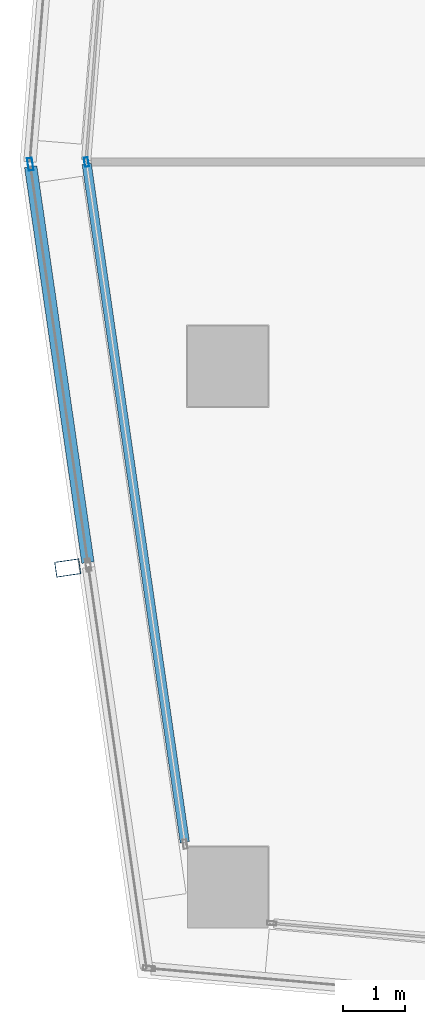
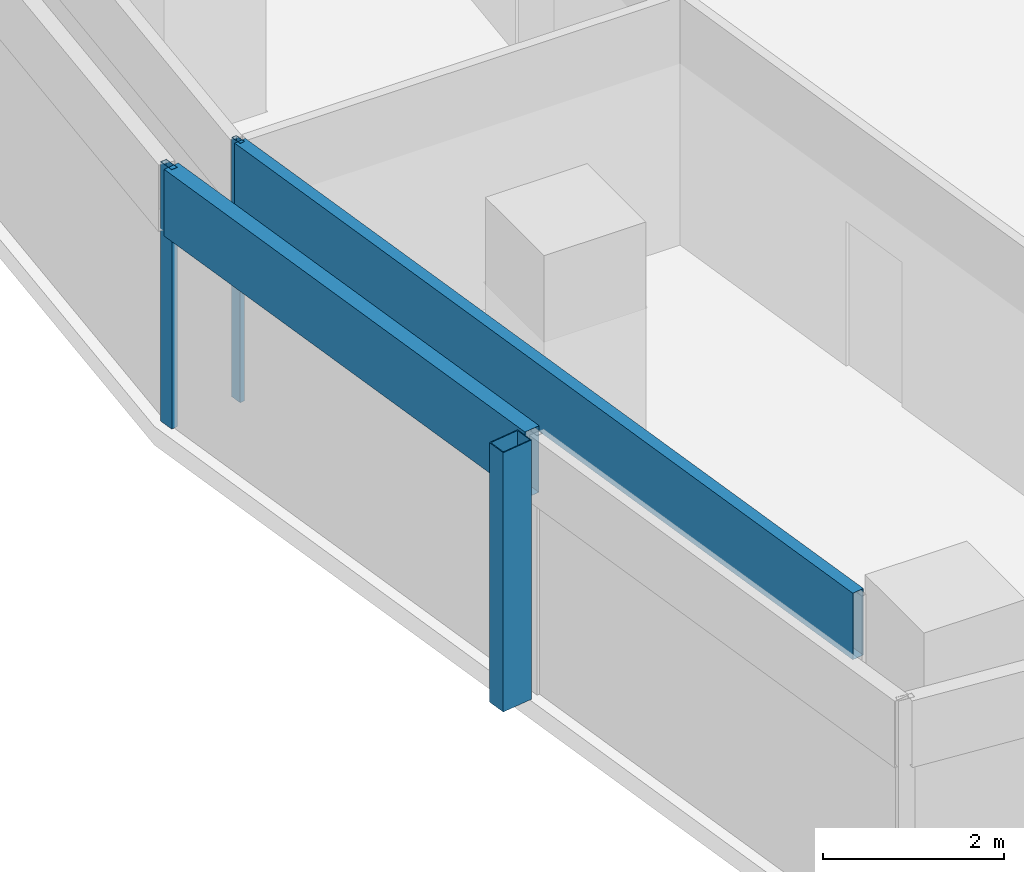
# One storey, part 4 of 29: 5 members, 2 elements without a shape of their own.
"""IFC4 building model written with IfcOpenShell, lengths in metres."""

from ifc_helpers import new_model, si_unit, direction, frame, origin, origin_2d, place, context, subcontext, project, spatial, hollow_rectangle, extrude, material, material_profile, profile_set, type_object, element, aggregate, save


model = new_model("IFC4")

# Units and contexts
model_context = context("Model", 3, precision=1e-05, world=origin(), true_north=direction((0.0, 1.0)))
body_context = subcontext(model_context, "Body", "Model", "MODEL_VIEW")
ifc_project = project(units=[si_unit("LENGTHUNIT", "METRE"), si_unit("AREAUNIT", "SQUARE_METRE"), si_unit("VOLUMEUNIT", "CUBIC_METRE"), si_unit("PLANEANGLEUNIT", "RADIAN"), si_unit("MASSUNIT", "GRAM", prefix="KILO")], contexts=[model_context])

# Site, building, storey
site_placement = place(None, origin())
site = spatial("IfcSite", under=ifc_project, at=site_placement, CompositionType="ELEMENT")
building_placement = place(site_placement, origin())
building = spatial("IfcBuilding", under=site, at=building_placement, Name="Rekha Terrace Tower", CompositionType="ELEMENT")
storey_placement = place(building_placement, frame((0.0, 0.0, 280.10009765625)))
storey = spatial("IfcBuildingStorey", under=building, at=storey_placement, Name="L71", CompositionType="ELEMENT", Elevation=280.10009765625)

# Curtain wall, member
ifc_material_1 = material(Name="Aluminium framing", Category="aluminium")
curtain_wall_type_1 = type_object("IfcCurtainWallType", Name="CW2 double skin outer glazing", PredefinedType="USERDEFINED", material=ifc_material_1)
curtain_wall_1_placement = place(storey_placement, origin())
curtain_wall_1 = element("IfcCurtainWall", 1, at=curtain_wall_1_placement, inside=storey, type_object=curtain_wall_type_1, Name="CW2 double skin outer glazing", ObjectType="DOUBLE SKIN OUTER GLAZING", PredefinedType="USERDEFINED")
ifc_material_2 = material(Name="Steel S355 with fluorocarbon finish", Category="steel")
ifc_material_profile_1 = material_profile(ifc_material_2, hollow_rectangle(XDim=0.25, YDim=0.39990234375, WallThickness=0.012451171875, at=origin_2d()), Name="RHS400x250x12.5")
ifc_profile_set_1 = profile_set([ifc_material_profile_1], Name="Steel S355 with fluorocarbon finish")
member_type_1 = type_object("IfcMemberType", Name="BL1 facade blade RHS 400 x 250", PredefinedType="USERDEFINED", material=ifc_profile_set_1)
member_1_placement = place(storey_placement, frame((5.819091796875, 21.94873046875, 0.0), z_axis=(0.0, 0.0, 1.0), x_axis=(0.143109157841, -0.989706910627, 0.0)))
member_1 = element("IfcMember", 2, at=member_1_placement, type_object=member_type_1, Name="Facade blade", ObjectType="FACADE BLADE", PredefinedType="USERDEFINED", context=body_context, shape_type="SweptSolid", body=[
    extrude(hollow_rectangle(XDim=0.25, YDim=0.39990234375, WallThickness=0.012451171875, at=origin_2d()), origin(), (0.0, 0.0, 1.0), 3.5),
])

# Curtain wall, members
curtain_wall_type_2 = type_object("IfcCurtainWallType", Name="CW1 double skin inner glazing", PredefinedType="USERDEFINED", material=ifc_material_1)
curtain_wall_2_placement = place(storey_placement, origin())
curtain_wall_2 = element("IfcCurtainWall", 3, at=curtain_wall_2_placement, inside=storey, type_object=curtain_wall_type_2, Name="CW1 double skin inner glazing", ObjectType="DOUBLE SKIN INNER GLAZING", PredefinedType="USERDEFINED")
ifc_material_3 = material(Name="Aluminium mullion section", Category="aluminium")
ifc_material_profile_2 = material_profile(ifc_material_3, hollow_rectangle(XDim=0.06494140625, YDim=0.14990234375, WallThickness=0.00390625, at=origin_2d()), Name="AL RHS 65x150")
ifc_profile_set_2 = profile_set([ifc_material_profile_2], Name="Aluminium mullion section")
member_type_2 = type_object("IfcMemberType", Name="CW1 mullion RHS 65 x 150", PredefinedType="MULLION", material=ifc_profile_set_2)
member_2_placement = place(storey_placement, frame((6.120849609375, 28.4912109375, 0.0), z_axis=(0.0, 0.0, 1.0), x_axis=(0.989707031394, 0.143108322643, 0.0)))
member_2 = element("IfcMember", 4, at=member_2_placement, type_object=member_type_2, Name="CW1 mullion 1", PredefinedType="MULLION", context=body_context, shape_type="SweptSolid", body=[
    extrude(hollow_rectangle(XDim=0.06494140625, YDim=0.14990234375, WallThickness=0.00390625, at=origin_2d()), origin(), (0.0, 0.0, 1.0), 3.5),
])
ifc_material_4 = material(Name="Insulated aluminium spandrel box", Category="aluminium")
ifc_material_profile_3 = material_profile(ifc_material_4, hollow_rectangle(XDim=0.14990234375, YDim=0.89990234375, WallThickness=0.0029296875, at=origin_2d()), Name="AL SPANDREL BOX 150x900")
ifc_profile_set_3 = profile_set([ifc_material_profile_3], Name="Insulated aluminium spandrel box")
member_type_3 = type_object("IfcMemberType", Name="CW1 spandrel transom 150 x 900", PredefinedType="USERDEFINED", material=ifc_profile_set_3)
member_3_placement = place(storey_placement, frame((6.12548828125, 28.458984375, 3.0498046875), z_axis=(0.143104894735, -0.989707527052, 0.0), x_axis=(0.989707527052, 0.143104894735, 0.0)))
member_3 = element("IfcMember", 5, at=member_3_placement, type_object=member_type_3, Name="CW1 spandrel transom 1", ObjectType="TRANSOM", PredefinedType="USERDEFINED", context=body_context, shape_type="SweptSolid", body=[
    extrude(hollow_rectangle(XDim=0.14990234375, YDim=0.89990234375, WallThickness=0.0029296875, at=origin_2d()), origin(), (0.0, 0.0, 1.0), 11.043212890625),
])
aggregate(curtain_wall_2, [member_2, member_3])

# Member
ifc_material_profile_4 = material_profile(ifc_material_3, hollow_rectangle(XDim=0.080078125, YDim=0.199951171875, WallThickness=0.00390625, at=origin_2d()), Name="AL RHS 80x200")
ifc_profile_set_4 = profile_set([ifc_material_profile_4], Name="Aluminium mullion section")
member_type_4 = type_object("IfcMemberType", Name="CW2 mullion RHS 80 x 200", PredefinedType="MULLION", material=ifc_profile_set_4)
member_4_placement = place(storey_placement, frame((5.216552734375, 28.455322265625, 0.0), z_axis=(0.0, 0.0, 1.0), x_axis=(0.989707031389, 0.143108322678, 0.0)))
member_4 = element("IfcMember", 6, at=member_4_placement, type_object=member_type_4, Name="CW2 mullion 1", PredefinedType="MULLION", context=body_context, shape_type="SweptSolid", body=[
    extrude(hollow_rectangle(XDim=0.080078125, YDim=0.199951171875, WallThickness=0.00390625, at=origin_2d()), origin(), (0.0, 0.0, 1.0), 3.5),
])

ifc_material_profile_5 = material_profile(ifc_material_4, hollow_rectangle(XDim=0.199951171875, YDim=0.89990234375, WallThickness=0.0029296875, at=origin_2d()), Name="AL SPANDREL BOX 200x900")
ifc_profile_set_5 = profile_set([ifc_material_profile_5], Name="Insulated aluminium spandrel box")
member_type_5 = type_object("IfcMemberType", Name="CW2 spandrel transom 200 x 900", PredefinedType="USERDEFINED", material=ifc_profile_set_5)
member_5_placement = place(storey_placement, frame((5.222412109375, 28.415771484375, 3.0498046875), z_axis=(0.143091438807, -0.989709472593, 0.0), x_axis=(0.989709472593, 0.143091438807, 0.0)))
member_5 = element("IfcMember", 7, at=member_5_placement, type_object=member_type_5, Name="CW2 spandrel transom 1", ObjectType="TRANSOM", PredefinedType="USERDEFINED", context=body_context, shape_type="SweptSolid", body=[
    extrude(hollow_rectangle(XDim=0.199951171875, YDim=0.89990234375, WallThickness=0.0029296875, at=origin_2d()), origin(), (0.0, 0.0, 1.0), 6.446044921875),
])

aggregate(curtain_wall_1, [member_4, member_5, member_1])

save(model, "model.ifc")
